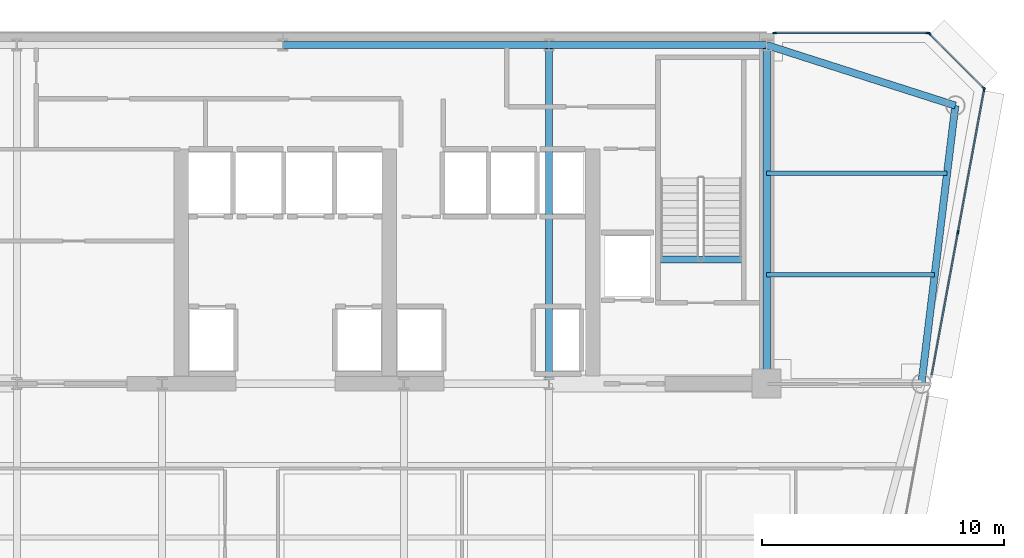
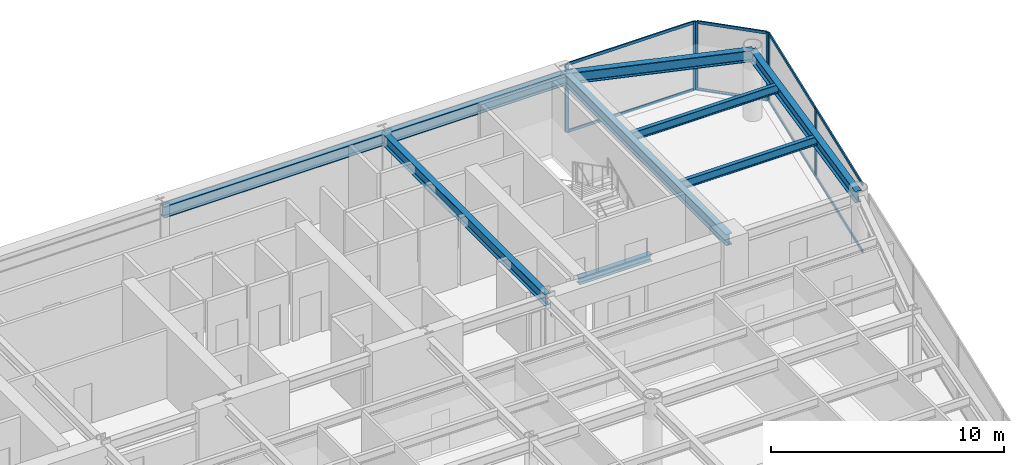
# One storey, part 8 of 16: 14 members, 9 beams, 3 elements without a shape of their own.
"""IFC4 building model written with IfcOpenShell, lengths in metres."""

from ifc_helpers import new_model, si_unit, direction, frame, origin, origin_2d, place, context, subcontext, project, spatial, rectangle, i_section, extrude, source, transform, mapped, material, layer, layer_set, material_profile, profile_set, type_object, element, aggregate, save


model = new_model("IFC4")

# Units and contexts
model_context = context("Model", 3, precision=1e-05, world=origin(), true_north=direction((0.0, 1.0)))
body_context = subcontext(model_context, "Body", "Model", "MODEL_VIEW")
ifc_project = project(units=[si_unit("LENGTHUNIT", "METRE"), si_unit("AREAUNIT", "SQUARE_METRE"), si_unit("VOLUMEUNIT", "CUBIC_METRE"), si_unit("PLANEANGLEUNIT", "RADIAN"), si_unit("MASSUNIT", "GRAM", prefix="KILO")], contexts=[model_context])

# Site, building, storey
site_placement = place(None, origin())
site = spatial("IfcSite", under=ifc_project, at=site_placement, CompositionType="ELEMENT")
building_placement = place(site_placement, origin())
building = spatial("IfcBuilding", under=site, at=building_placement, Name="Vaeldorn Concourse Tower", CompositionType="ELEMENT")
storey_placement = place(building_placement, frame((0.0, 0.0, 184.199951171875)))
storey = spatial("IfcBuildingStorey", under=building, at=storey_placement, Name="L47", CompositionType="ELEMENT", Elevation=184.199951171875)

# Beams
ifc_material_1 = material(Name="Steel S355", Category="steel")
ifc_material_profile_1 = material_profile(ifc_material_1, i_section(OverallWidth=0.300048828125, OverallDepth=0.340087890625, WebThickness=0.011962890625, FlangeThickness=0.021484375, FilletRadius=0.027099609375, at=origin_2d()), Name="HEB 340")
ifc_profile_set_1 = profile_set([ifc_material_profile_1], Name="Steel S355")
beam_type_1 = type_object("IfcBeamType", Name="BM-ST-TRIM", PredefinedType="BEAM", material=ifc_profile_set_1)
shared_shape_1 = source(origin(), body_context, "Body", "SweptSolid", [
    extrude(i_section(OverallWidth=0.300048828125, OverallDepth=0.340087890625, WebThickness=0.011962890625, FlangeThickness=0.021484375, FilletRadius=0.027099609375, at=origin_2d()), origin(), (0.0, 0.0, 1.0), 3.590087890625),
])
beam_1_placement = place(storey_placement, frame((49.47998046875, 41.639892578125, -0.389892578125), z_axis=(1.0, 0.0, 0.0), x_axis=(0.0, 1.0, 0.0)))
element("IfcBeam", 1, at=beam_1_placement, inside=storey, type_object=beam_type_1, Name="Stair Landing Trimmer Beam ST-2 L47", PredefinedType="BEAM", context=body_context, shape_type="MappedRepresentation", body=[
    mapped(shared_shape_1, transform((0.0, 0.0, 0.0), scale=1.0)),
])
ifc_material_profile_2 = material_profile(ifc_material_1, i_section(OverallWidth=0.18994140625, OverallDepth=0.449951171875, WebThickness=0.009521484375, FlangeThickness=0.0146484375, FilletRadius=0.02099609375, at=origin_2d()), Name="IPE 450")
ifc_profile_set_2 = profile_set([ifc_material_profile_2], Name="Steel S355")
beam_type_2 = type_object("IfcBeamType", Name="BM-JS-IPE450", PredefinedType="JOIST", material=ifc_profile_set_2)
shared_shape_2 = source(origin(), body_context, "Body", "SweptSolid", [
    extrude(i_section(OverallWidth=0.18994140625, OverallDepth=0.449951171875, WebThickness=0.009521484375, FlangeThickness=0.0146484375, FilletRadius=0.02099609375, at=origin_2d()), origin(), (0.0, 0.0, 1.0), 6.94775390625),
])
beam_2_placement = place(storey_placement, frame((54.0, 41.0, 3.35498046875), z_axis=(1.0, 0.0, 0.0), x_axis=(0.0, 1.0, 0.0)))
element("IfcBeam", 2, at=beam_2_placement, inside=storey, type_object=beam_type_2, Name="Beam JS-L47-NE-410", PredefinedType="JOIST", context=body_context, shape_type="MappedRepresentation", body=[
    mapped(shared_shape_2, transform((0.0, 0.0, 0.0), scale=1.0)),
])
shared_shape_3 = source(origin(), body_context, "Body", "SweptSolid", [
    extrude(i_section(OverallWidth=0.18994140625, OverallDepth=0.449951171875, WebThickness=0.009521484375, FlangeThickness=0.0146484375, FilletRadius=0.02099609375, at=origin_2d()), origin(), (0.0, 0.0, 1.0), 7.458984375),
])
beam_3_placement = place(storey_placement, frame((54.0, 45.199951171875, 3.35498046875), z_axis=(1.0, 0.0, 0.0), x_axis=(0.0, 1.0, 0.0)))
element("IfcBeam", 3, at=beam_3_placement, inside=storey, type_object=beam_type_2, Name="Beam JS-L47-NE-452", PredefinedType="JOIST", context=body_context, shape_type="MappedRepresentation", body=[
    mapped(shared_shape_3, transform((0.0, 0.0, 0.0), scale=1.0)),
])
ifc_material_profile_3 = material_profile(ifc_material_1, i_section(OverallWidth=0.300048828125, OverallDepth=0.60009765625, WebThickness=0.015380859375, FlangeThickness=0.030029296875, FilletRadius=0.027099609375, at=origin_2d()), Name="HEB 600")
ifc_profile_set_3 = profile_set([ifc_material_profile_3], Name="Steel S355")
beam_type_3 = type_object("IfcBeamType", Name="BM-PG-HEB600", PredefinedType="BEAM", material=ifc_profile_set_3)
shared_shape_4 = source(origin(), body_context, "Body", "SweptSolid", [
    extrude(i_section(OverallWidth=0.300048828125, OverallDepth=0.60009765625, WebThickness=0.015380859375, FlangeThickness=0.030029296875, FilletRadius=0.027099609375, at=origin_2d()), origin(), (0.0, 0.0, 1.0), 9.0),
])
beam_4_placement = place(storey_placement, frame((45.0, 50.5, 3.280029296875), z_axis=(1.0, 0.0, 0.0), x_axis=(0.0, 1.0, 0.0)))
element("IfcBeam", 4, at=beam_4_placement, inside=storey, type_object=beam_type_3, Name="Beam BM-L47-C-HC4-C-HC5", PredefinedType="BEAM", context=body_context, shape_type="MappedRepresentation", body=[
    mapped(shared_shape_4, transform((0.0, 0.0, 0.0), scale=1.0)),
])
shared_shape_5 = source(origin(), body_context, "Body", "SweptSolid", [
    extrude(i_section(OverallWidth=0.300048828125, OverallDepth=0.60009765625, WebThickness=0.015380859375, FlangeThickness=0.030029296875, FilletRadius=0.027099609375, at=origin_2d()), origin(), (0.0, 0.0, 1.0), 11.0),
])
beam_5_placement = place(storey_placement, frame((34.0, 50.5, 3.280029296875), z_axis=(1.0, 0.0, 0.0), x_axis=(0.0, 1.0, 0.0)))
element("IfcBeam", 5, at=beam_5_placement, inside=storey, type_object=beam_type_3, Name="Beam BM-L47-C-HC3-C-HC4", PredefinedType="BEAM", context=body_context, shape_type="MappedRepresentation", body=[
    mapped(shared_shape_5, transform((0.0, 0.0, 0.0), scale=1.0)),
])
shared_shape_6 = source(origin(), body_context, "Body", "SweptSolid", [
    extrude(i_section(OverallWidth=0.300048828125, OverallDepth=0.60009765625, WebThickness=0.015380859375, FlangeThickness=0.030029296875, FilletRadius=0.027099609375, at=origin_2d()), origin(), (0.0, 0.0, 1.0), 14.0),
])
for number, where, z_axis, x_axis, name in (
    (6, (45.0, 36.5, 3.280029296875), (0.0, 1.0, 0.0), (-1.0, 0.0, 0.0), "Beam BM-L47-C-FC5-C-HC4"),
    (7, (54.0, 36.5, 3.280029296875), (0.0, 1.0, 0.0), (-1.0, 0.0, 0.0), "Beam BM-L47-C-FC6-C-HC5"),
):
    element("IfcBeam", number, at=place(storey_placement, frame(where, z_axis=z_axis, x_axis=x_axis)), inside=storey, type_object=beam_type_3, Name=name, PredefinedType="BEAM", context=body_context, shape_type="MappedRepresentation", body=[
        mapped(shared_shape_6, transform((0.0, 0.0, 0.0), scale=1.0)),
    ])
shared_shape_7 = source(origin(), body_context, "Body", "SweptSolid", [
    extrude(i_section(OverallWidth=0.300048828125, OverallDepth=0.60009765625, WebThickness=0.015380859375, FlangeThickness=0.030029296875, FilletRadius=0.027099609375, at=origin_2d()), origin(), (0.0, 0.0, 1.0), 8.19091796875),
])
beam_6_placement = place(storey_placement, frame((54.0, 50.5, 3.280029296875), z_axis=(0.952282843383, -0.305216949396, 0.0), x_axis=(0.305216949396, 0.952282843383, 0.0)))
element("IfcBeam", 8, at=beam_6_placement, inside=storey, type_object=beam_type_3, Name="Beam BM-L47-C-HC5-C-NE1", PredefinedType="BEAM", context=body_context, shape_type="MappedRepresentation", body=[
    mapped(shared_shape_7, transform((0.0, 0.0, 0.0), scale=1.0)),
])
shared_shape_8 = source(origin(), body_context, "Body", "SweptSolid", [
    extrude(i_section(OverallWidth=0.300048828125, OverallDepth=0.60009765625, WebThickness=0.015380859375, FlangeThickness=0.030029296875, FilletRadius=0.027099609375, at=origin_2d()), origin(), (0.0, 0.0, 1.0), 11.5849609375),
])
beam_7_placement = place(storey_placement, frame((61.800048828125, 48.0, 3.280029296875), z_axis=(-0.120859382899, -0.992669637677, 0.0), x_axis=(0.992669637677, -0.120859382899, 0.0)))
element("IfcBeam", 9, at=beam_7_placement, inside=storey, type_object=beam_type_3, Name="Beam BM-L47-C-NE1-C-NE2", PredefinedType="BEAM", context=body_context, shape_type="MappedRepresentation", body=[
    mapped(shared_shape_8, transform((0.0, 0.0, 0.0), scale=1.0)),
])

# Curtain wall, members
ifc_material_2 = material(Name="Anodised Bronze Aluminium", Category="aluminium")
ifc_layer = layer(ifc_material_2, 0.18994140625)
ifc_layer_set = layer_set([ifc_layer], Name="Anodised Bronze Aluminium")
curtain_wall_type = type_object("IfcCurtainWallType", Name="CW-SYS-03", PredefinedType="NOTDEFINED", material=ifc_layer_set)
curtain_wall_1_placement = place(storey_placement, origin())
curtain_wall_1 = element("IfcCurtainWall", 10, at=curtain_wall_1_placement, inside=storey, type_object=curtain_wall_type, Name="Unitised Curtain Wall CW-L47-E08-1", PredefinedType="NOTDEFINED")
ifc_material_profile_4 = material_profile(ifc_material_2, rectangle(XDim=0.06494140625, YDim=0.14990234375, at=origin_2d()), Name="CWT 65x150")
ifc_profile_set_4 = profile_set([ifc_material_profile_4], Name="Anodised Bronze Aluminium")
member_type_1 = type_object("IfcMemberType", Name="CWT-BRONZE-150", PredefinedType="USERDEFINED", material=ifc_profile_set_4)
shared_shape_9 = source(origin(), body_context, "Body", "SweptSolid", [
    extrude(rectangle(XDim=0.06494140625, YDim=0.14990234375, at=origin_2d()), origin(), (0.0, 0.0, 1.0), 3.123046875),
])
member_1_placement = place(storey_placement, frame((62.9541015625, 48.745849609375, 0.032470703125), z_axis=(-0.707106781187, 0.707106781187, 0.0), x_axis=(-0.707106781187, -0.707106781187, 0.0)))
member_1 = element("IfcMember", 11, at=member_1_placement, type_object=member_type_1, Name="CW-03 transom 1.1", ObjectType="TRANSOM", PredefinedType="USERDEFINED", context=body_context, shape_type="MappedRepresentation", body=[
    mapped(shared_shape_9, transform((0.0, 0.0, 0.0), scale=1.0)),
])
member_2_placement = place(storey_placement, frame((62.9541015625, 48.745849609375, 3.547607421875), z_axis=(-0.707106781187, 0.707106781187, 0.0), x_axis=(-0.707106781187, -0.707106781187, 0.0)))
member_2 = element("IfcMember", 12, at=member_2_placement, type_object=member_type_1, Name="CW-03 transom 1.2", ObjectType="TRANSOM", PredefinedType="USERDEFINED", context=body_context, shape_type="MappedRepresentation", body=[
    mapped(shared_shape_9, transform((0.0, 0.0, 0.0), scale=1.0)),
])

curtain_wall_2_placement = place(storey_placement, origin())
curtain_wall_2 = element("IfcCurtainWall", 13, at=curtain_wall_2_placement, inside=storey, type_object=curtain_wall_type, Name="Unitised Curtain Wall CW-L47-E07-2", PredefinedType="NOTDEFINED")
ifc_material_profile_5 = material_profile(ifc_material_2, rectangle(XDim=0.06494140625, YDim=0.169921875, at=origin_2d()), Name="CWM 65x170")
ifc_profile_set_5 = profile_set([ifc_material_profile_5], Name="Anodised Bronze Aluminium")
member_type_2 = type_object("IfcMemberType", Name="CWM-BRONZE-170", PredefinedType="MULLION", material=ifc_profile_set_5)
shared_shape_10 = source(origin(), body_context, "Body", "SweptSolid", [
    extrude(rectangle(XDim=0.06494140625, YDim=0.169921875, at=origin_2d()), origin(), (0.0, 0.0, 1.0), 3.580078125),
])
member_3_placement = place(storey_placement, frame((61.908203125, 42.753662109375, 0.0), z_axis=(0.0, 0.0, 1.0), x_axis=(-0.983559459619, 0.180584576845, 0.0)))
member_3 = element("IfcMember", 14, at=member_3_placement, type_object=member_type_2, Name="CW-03 mullion 2", PredefinedType="MULLION", context=body_context, shape_type="MappedRepresentation", body=[
    mapped(shared_shape_10, transform((0.0, 0.0, 0.0), scale=1.0)),
])
member_4_placement = place(storey_placement, frame((62.994140625, 48.66796875, 0.0), z_axis=(0.0, 0.0, 1.0), x_axis=(-0.983559459619, 0.180584576845, 0.0)))
member_4 = element("IfcMember", 15, at=member_4_placement, type_object=member_type_2, Name="CW-03 mullion 3", PredefinedType="MULLION", context=body_context, shape_type="MappedRepresentation", body=[
    mapped(shared_shape_10, transform((0.0, 0.0, 0.0), scale=1.0)),
])

# Member
member_5_placement = place(storey_placement, frame((62.97705078125, 48.722900390625, 0.0), z_axis=(0.0, 0.0, 1.0), x_axis=(-0.707106781187, -0.707106781187, 0.0)))
member_5 = element("IfcMember", 16, at=member_5_placement, type_object=member_type_2, Name="CW-03 mullion 1", PredefinedType="MULLION", context=body_context, shape_type="MappedRepresentation", body=[
    mapped(shared_shape_10, transform((0.0, 0.0, 0.0), scale=1.0)),
])

member_6_placement = place(storey_placement, frame((60.722900390625, 50.97705078125, 0.0), z_axis=(0.0, 0.0, 1.0), x_axis=(-0.707106781187, -0.707106781187, 0.0)))
member_6 = element("IfcMember", 17, at=member_6_placement, type_object=member_type_2, Name="CW-03 mullion 2", PredefinedType="MULLION", context=body_context, shape_type="MappedRepresentation", body=[
    mapped(shared_shape_10, transform((0.0, 0.0, 0.0), scale=1.0)),
])

aggregate(curtain_wall_1, [member_5, member_6, member_1, member_2])

# Curtain wall, members
curtain_wall_3_placement = place(storey_placement, origin())
curtain_wall_3 = element("IfcCurtainWall", 18, at=curtain_wall_3_placement, inside=storey, type_object=curtain_wall_type, Name="Unitised Curtain Wall CW-L47-E09-1", PredefinedType="NOTDEFINED")
member_7_placement = place(storey_placement, frame((60.66748046875, 51.0, 0.0), z_axis=(0.0, 0.0, 1.0), x_axis=(0.0, -1.0, 0.0)))
member_7 = element("IfcMember", 19, at=member_7_placement, type_object=member_type_2, Name="CW-03 mullion 1", PredefinedType="MULLION", context=body_context, shape_type="MappedRepresentation", body=[
    mapped(shared_shape_10, transform((0.0, 0.0, 0.0), scale=1.0)),
])
member_8_placement = place(storey_placement, frame((54.327392578125, 51.0, 0.0), z_axis=(0.0, 0.0, 1.0), x_axis=(0.0, -1.0, 0.0)))
member_8 = element("IfcMember", 20, at=member_8_placement, type_object=member_type_2, Name="CW-03 mullion 2", PredefinedType="MULLION", context=body_context, shape_type="MappedRepresentation", body=[
    mapped(shared_shape_10, transform((0.0, 0.0, 0.0), scale=1.0)),
])
shared_shape_11 = source(origin(), body_context, "Body", "SweptSolid", [
    extrude(rectangle(XDim=0.06494140625, YDim=0.14990234375, at=origin_2d()), origin(), (0.0, 0.0, 1.0), 6.27490234375),
])
member_9_placement = place(storey_placement, frame((60.635009765625, 51.0, 0.032470703125), z_axis=(-1.0, 0.0, 0.0), x_axis=(0.0, -1.0, 0.0)))
member_9 = element("IfcMember", 21, at=member_9_placement, type_object=member_type_1, Name="CW-03 transom 1.1", ObjectType="TRANSOM", PredefinedType="USERDEFINED", context=body_context, shape_type="MappedRepresentation", body=[
    mapped(shared_shape_11, transform((0.0, 0.0, 0.0), scale=1.0)),
])
member_10_placement = place(storey_placement, frame((60.635009765625, 51.0, 3.547607421875), z_axis=(-1.0, 0.0, 0.0), x_axis=(0.0, -1.0, 0.0)))
member_10 = element("IfcMember", 22, at=member_10_placement, type_object=member_type_1, Name="CW-03 transom 1.2", ObjectType="TRANSOM", PredefinedType="USERDEFINED", context=body_context, shape_type="MappedRepresentation", body=[
    mapped(shared_shape_11, transform((0.0, 0.0, 0.0), scale=1.0)),
])
aggregate(curtain_wall_3, [member_7, member_8, member_9, member_10])

# Member
shared_shape_12 = source(origin(), body_context, "Body", "SweptSolid", [
    extrude(rectangle(XDim=0.06494140625, YDim=0.14990234375, at=origin_2d()), origin(), (0.0, 0.0, 1.0), 5.9482421875),
])
member_11_placement = place(storey_placement, frame((60.828125, 36.871337890625, 0.032470703125), z_axis=(0.180597229094, 0.983557136542, 0.0), x_axis=(-0.983557136542, 0.180597229094, 0.0)))
member_11 = element("IfcMember", 23, at=member_11_placement, type_object=member_type_1, Name="CW-03 transom 1.1", ObjectType="TRANSOM", PredefinedType="USERDEFINED", context=body_context, shape_type="MappedRepresentation", body=[
    mapped(shared_shape_12, transform((0.0, 0.0, 0.0), scale=1.0)),
])

member_12_placement = place(storey_placement, frame((60.828125, 36.871337890625, 3.547607421875), z_axis=(0.180597229094, 0.983557136542, 0.0), x_axis=(-0.983557136542, 0.180597229094, 0.0)))
member_12 = element("IfcMember", 24, at=member_12_placement, type_object=member_type_1, Name="CW-03 transom 1.2", ObjectType="TRANSOM", PredefinedType="USERDEFINED", context=body_context, shape_type="MappedRepresentation", body=[
    mapped(shared_shape_12, transform((0.0, 0.0, 0.0), scale=1.0)),
])

member_13_placement = place(storey_placement, frame((61.9140625, 42.78564453125, 0.032470703125), z_axis=(0.180597229094, 0.983557136542, 0.0), x_axis=(-0.983557136542, 0.180597229094, 0.0)))
member_13 = element("IfcMember", 25, at=member_13_placement, type_object=member_type_1, Name="CW-03 transom 2.1", ObjectType="TRANSOM", PredefinedType="USERDEFINED", context=body_context, shape_type="MappedRepresentation", body=[
    mapped(shared_shape_12, transform((0.0, 0.0, 0.0), scale=1.0)),
])

member_14_placement = place(storey_placement, frame((61.9140625, 42.78564453125, 3.547607421875), z_axis=(0.180597229094, 0.983557136542, 0.0), x_axis=(-0.983557136542, 0.180597229094, 0.0)))
member_14 = element("IfcMember", 26, at=member_14_placement, type_object=member_type_1, Name="CW-03 transom 2.2", ObjectType="TRANSOM", PredefinedType="USERDEFINED", context=body_context, shape_type="MappedRepresentation", body=[
    mapped(shared_shape_12, transform((0.0, 0.0, 0.0), scale=1.0)),
])

aggregate(curtain_wall_2, [member_3, member_4, member_11, member_12, member_13, member_14])

save(model, "model.ifc")
